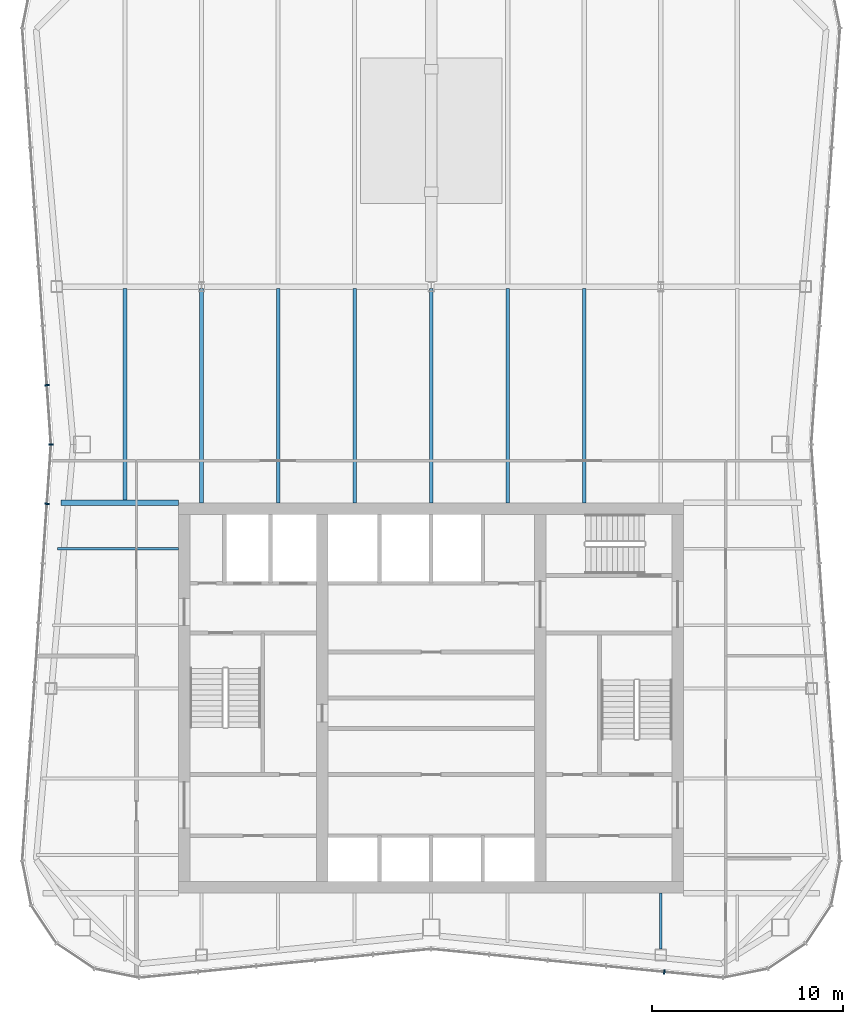
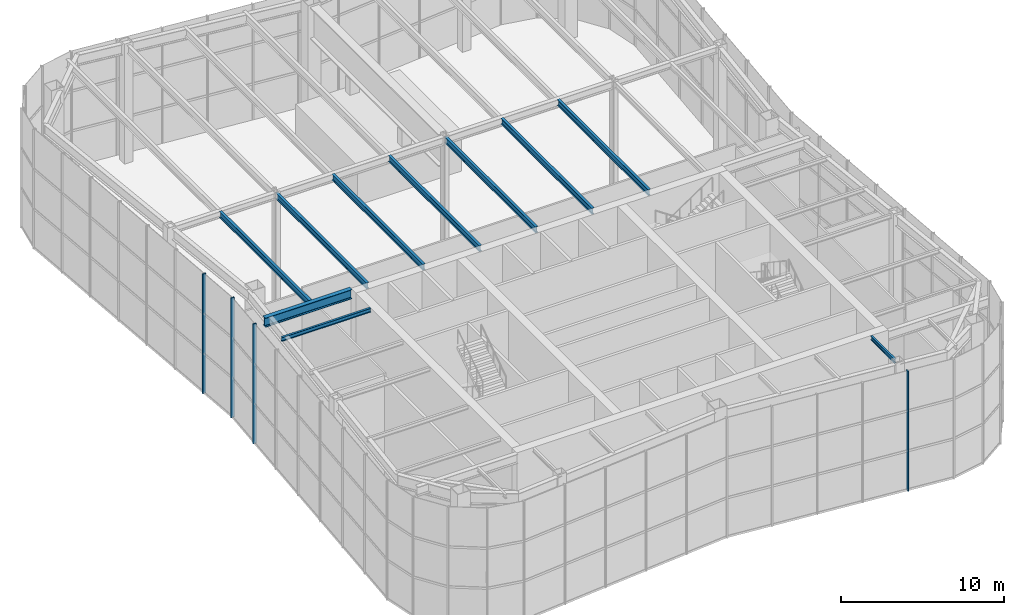
# One storey, part 4 of 16: 10 beams, 4 members, 2 elements without a shape of their own.
"""IFC4 building model written with IfcOpenShell, lengths in metres."""

from ifc_helpers import new_model, si_unit, direction, frame, origin, origin_2d, place, context, subcontext, project, spatial, rectangle, i_section, extrude, material, material_profile, profile_set, type_object, element, aggregate, save


model = new_model("IFC4")

# Units and contexts
model_context = context("Model", 3, precision=1e-05, world=origin(), true_north=direction((0.0, 1.0)))
body_context = subcontext(model_context, "Body", "Model", "MODEL_VIEW")
ifc_project = project(units=[si_unit("LENGTHUNIT", "METRE"), si_unit("AREAUNIT", "SQUARE_METRE"), si_unit("VOLUMEUNIT", "CUBIC_METRE"), si_unit("PLANEANGLEUNIT", "RADIAN"), si_unit("MASSUNIT", "GRAM", prefix="KILO")], contexts=[model_context])

# Site, building, storey
site_placement = place(None, origin())
site = spatial("IfcSite", under=ifc_project, at=site_placement, CompositionType="ELEMENT")
building_placement = place(site_placement, origin())
building = spatial("IfcBuilding", under=site, at=building_placement, Name="Verdant Reach Tower", CompositionType="ELEMENT")
storey_placement = place(building_placement, frame((0.0, 0.0, 340.5)))
storey = spatial("IfcBuildingStorey", under=building, at=storey_placement, Name="L78 Damper", CompositionType="ELEMENT", Elevation=340.5)

# Curtain wall, members
ifc_material_1 = material(Name="Anodised aluminium", Category="aluminium")
curtain_wall_type = type_object("IfcCurtainWallType", Name="EN-CW SYSTEM CROWN DAMPER", PredefinedType="NOTDEFINED", material=ifc_material_1)
curtain_wall_1_placement = place(storey_placement, origin())
curtain_wall_1 = element("IfcCurtainWall", 1, at=curtain_wall_1_placement, inside=storey, type_object=curtain_wall_type, Name="Curtain wall west, L78", PredefinedType="NOTDEFINED")
ifc_material_profile_1 = material_profile(ifc_material_1, rectangle(XDim=0.238037109375, YDim=0.080078125, at=origin_2d()), Name="Mullion 80x240")
ifc_profile_set_1 = profile_set([ifc_material_profile_1], Name="Anodised aluminium")
member_type = type_object("IfcMemberType", Name="EN-MULLION PLANT", PredefinedType="MULLION", material=ifc_profile_set_1)
member_1_placement = place(storey_placement, frame((-20.0830078125, 44.348876953125, -0.35009765625), z_axis=(0.0, 0.0, 1.0), x_axis=(-0.997630328423, -0.068802091615, 0.0)))
member_1 = element("IfcMember", 2, at=member_1_placement, type_object=member_type, Name="Mullion west face part 1 7, L78", PredefinedType="MULLION", context=body_context, shape_type="SweptSolid", body=[
    extrude(rectangle(XDim=0.238037109375, YDim=0.080078125, at=origin_2d()), origin(), (0.0, 0.0, 1.0), 9.0),
])
member_2_placement = place(storey_placement, frame((-19.868896484375, 41.25, -0.35009765625), z_axis=(0.0, 0.0, 1.0), x_axis=(-1.0, 0.0, 0.0)))
member_2 = element("IfcMember", 3, at=member_2_placement, type_object=member_type, Name="Mullion west face part 2 1, L78", PredefinedType="MULLION", context=body_context, shape_type="SweptSolid", body=[
    extrude(rectangle(XDim=0.238037109375, YDim=0.080078125, at=origin_2d()), origin(), (0.0, 0.0, 1.0), 9.0),
])
member_3_placement = place(storey_placement, frame((-20.0830078125, 38.151123046875, -0.35009765625), z_axis=(0.0, 0.0, 1.0), x_axis=(-0.997630328423, 0.068802091615, 0.0)))
member_3 = element("IfcMember", 4, at=member_3_placement, type_object=member_type, Name="Mullion west face part 2 2, L78", PredefinedType="MULLION", context=body_context, shape_type="SweptSolid", body=[
    extrude(rectangle(XDim=0.238037109375, YDim=0.080078125, at=origin_2d()), origin(), (0.0, 0.0, 1.0), 9.0),
])
aggregate(curtain_wall_1, [member_1, member_2, member_3])

# Curtain wall, member
curtain_wall_2_placement = place(storey_placement, origin())
curtain_wall_2 = element("IfcCurtainWall", 5, at=curtain_wall_2_placement, inside=storey, type_object=curtain_wall_type, Name="Curtain wall south, L78", PredefinedType="NOTDEFINED")
member_4_placement = place(storey_placement, frame((12.188232421875, 13.681640625, -0.35009765625), z_axis=(0.0, 0.0, 1.0), x_axis=(-0.09788826992, -0.995197410875, 0.0)))
member_4 = element("IfcMember", 6, at=member_4_placement, type_object=member_type, Name="Mullion south face part 2 5, L78", PredefinedType="MULLION", context=body_context, shape_type="SweptSolid", body=[
    extrude(rectangle(XDim=0.238037109375, YDim=0.080078125, at=origin_2d()), origin(), (0.0, 0.0, 1.0), 9.0),
])
aggregate(curtain_wall_2, [member_4])

# Beams
ifc_material_2 = material(Name="Steel S355", Category="steel")
ifc_material_profile_2 = material_profile(ifc_material_2, i_section(OverallWidth=0.300048828125, OverallDepth=0.699951171875, WebThickness=0.01708984375, FlangeThickness=0.031982421875, FilletRadius=0.027099609375, at=origin_2d()), Name="HEB 700")
ifc_profile_set_2 = profile_set([ifc_material_profile_2], Name="Steel S355")
beam_type_1 = type_object("IfcBeamType", Name="ST-BEAM-HEB700", PredefinedType="BEAM", material=ifc_profile_set_2)
beam_1_placement = place(storey_placement, frame((-13.199951171875, 38.199951171875, 8.5), z_axis=(-1.0, 0.0, 0.0), x_axis=(0.0, -1.0, 0.0)))
element("IfcBeam", 7, at=beam_1_placement, inside=storey, type_object=beam_type_1, Name="Trimmer beam, L78 Damper", PredefinedType="BEAM", context=body_context, shape_type="SweptSolid", body=[
    extrude(i_section(OverallWidth=0.300048828125, OverallDepth=0.699951171875, WebThickness=0.01708984375, FlangeThickness=0.031982421875, FilletRadius=0.027099609375, at=origin_2d()), origin(), (0.0, 0.0, 1.0), 6.158935546875),
])
ifc_material_profile_3 = material_profile(ifc_material_2, i_section(OverallWidth=0.14990234375, OverallDepth=0.300048828125, WebThickness=0.007080078125, FlangeThickness=0.0107421875, FilletRadius=0.014892578125, at=origin_2d()), Name="IPE 300")
ifc_profile_set_3 = profile_set([ifc_material_profile_3], Name="Steel S355")
beam_type_2 = type_object("IfcBeamType", Name="ST-JOIST-IPE300", PredefinedType="JOIST", material=ifc_profile_set_3)
beam_2_placement = place(storey_placement, frame((12.0, 17.800048828125, 8.699951171875), z_axis=(0.0, -1.0, 0.0), x_axis=(1.0, 0.0, 0.0)))
element("IfcBeam", 8, at=beam_2_placement, inside=storey, type_object=beam_type_2, Name="Floor joist, L78 Damper", PredefinedType="JOIST", context=body_context, shape_type="SweptSolid", body=[
    extrude(i_section(OverallWidth=0.14990234375, OverallDepth=0.300048828125, WebThickness=0.007080078125, FlangeThickness=0.0107421875, FilletRadius=0.014892578125, at=origin_2d()), origin(), (0.0, 0.0, 1.0), 2.930419921875),
])
beam_3_placement = place(storey_placement, frame((-13.199951171875, 35.800048828125, 8.699951171875), z_axis=(-1.0, 0.0, 0.0), x_axis=(0.0, -1.0, 0.0)))
element("IfcBeam", 9, at=beam_3_placement, inside=storey, type_object=beam_type_2, Name="Floor joist, L78 Damper", PredefinedType="JOIST", context=body_context, shape_type="SweptSolid", body=[
    extrude(i_section(OverallWidth=0.14990234375, OverallDepth=0.300048828125, WebThickness=0.007080078125, FlangeThickness=0.0107421875, FilletRadius=0.014892578125, at=origin_2d()), origin(), (0.0, 0.0, 1.0), 6.324462890625),
])
ifc_material_profile_4 = material_profile(ifc_material_2, i_section(OverallWidth=0.18994140625, OverallDepth=0.449951171875, WebThickness=0.009521484375, FlangeThickness=0.0146484375, FilletRadius=0.02099609375, at=origin_2d()), Name="IPE 450")
ifc_profile_set_4 = profile_set([ifc_material_profile_4], Name="Steel S355")
beam_type_3 = type_object("IfcBeamType", Name="ST-JOIST-IPE450", PredefinedType="JOIST", material=ifc_profile_set_4)
beam_4_placement = place(storey_placement, frame((-16.0, 38.300048828125, 8.625), z_axis=(0.0, 1.0, 0.0), x_axis=(-1.0, 0.0, 0.0)))
element("IfcBeam", 10, at=beam_4_placement, inside=storey, type_object=beam_type_3, Name="Floor joist, L78 Damper", PredefinedType="JOIST", context=body_context, shape_type="SweptSolid", body=[
    extrude(i_section(OverallWidth=0.18994140625, OverallDepth=0.449951171875, WebThickness=0.009521484375, FlangeThickness=0.0146484375, FilletRadius=0.02099609375, at=origin_2d()), origin(), (0.0, 0.0, 1.0), 11.099853515625),
])
for number, where, z_axis, x_axis, name in (
    (11, (-12.0, 38.199951171875, 8.625), (0.0, 1.0, 0.0), (-1.0, 0.0, 0.0), "Floor joist, L78 Damper"),
    (12, (-8.0, 38.199951171875, 8.625), (0.0, 1.0, 0.0), (-1.0, 0.0, 0.0), "Floor joist, L78 Damper"),
    (13, (-4.0, 38.199951171875, 8.625), (0.0, 1.0, 0.0), (-1.0, 0.0, 0.0), "Floor joist, L78 Damper"),
    (14, (0.0, 38.199951171875, 8.625), (0.0, 1.0, 0.0), (-1.0, 0.0, 0.0), "Floor joist, L78 Damper"),
    (15, (4.0, 38.199951171875, 8.625), (0.0, 1.0, 0.0), (-1.0, 0.0, 0.0), "Floor joist, L78 Damper"),
    (16, (8.0, 38.199951171875, 8.625), (0.0, 1.0, 0.0), (-1.0, 0.0, 0.0), "Floor joist, L78 Damper"),
):
    element("IfcBeam", number, at=place(storey_placement, frame(where, z_axis=z_axis, x_axis=x_axis)), inside=storey, type_object=beam_type_3, Name=name, PredefinedType="JOIST", context=body_context, shape_type="SweptSolid", body=[
        extrude(i_section(OverallWidth=0.18994140625, OverallDepth=0.449951171875, WebThickness=0.009521484375, FlangeThickness=0.0146484375, FilletRadius=0.02099609375, at=origin_2d()), origin(), (0.0, 0.0, 1.0), 11.199951171875),
    ])

save(model, "model.ifc")
